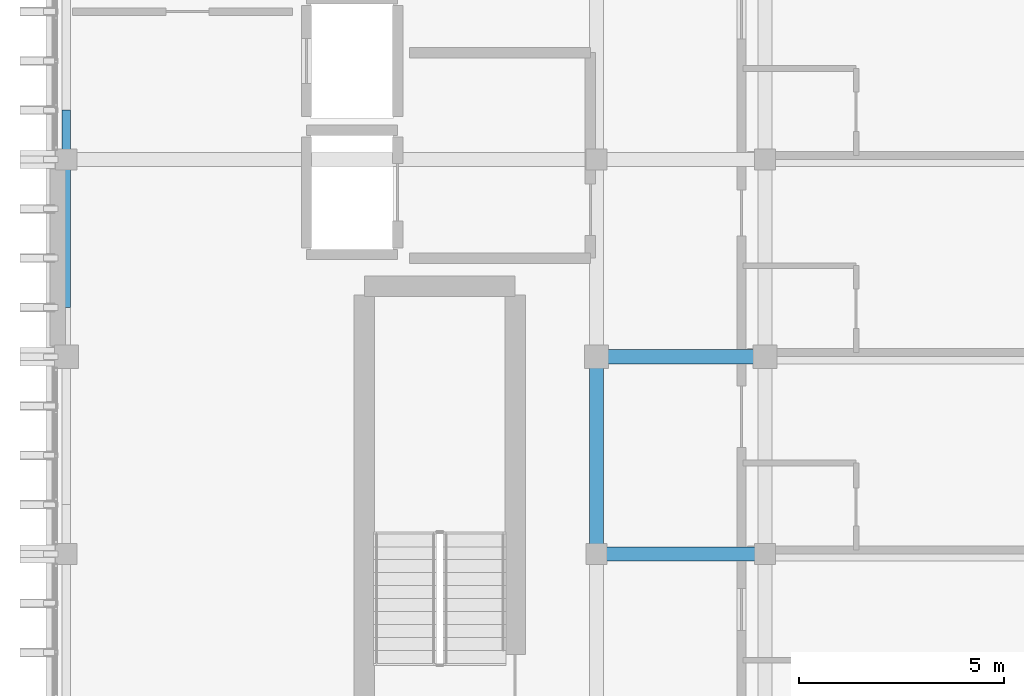
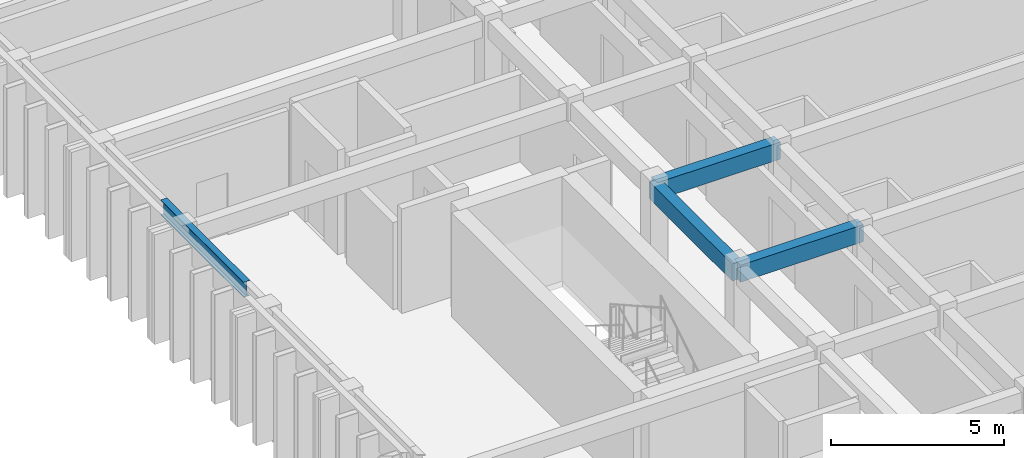
# One storey, part 11 of 49: 4 beams.
"""IFC4 building model written with IfcOpenShell, lengths in metres."""

from ifc_helpers import new_model, si_unit, direction, frame, origin, origin_2d, place, context, subcontext, project, spatial, rectangle, i_section, extrude, material, material_profile, profile_set, type_object, element, save


model = new_model("IFC4")

# Units and contexts
model_context = context("Model", 3, precision=1e-05, world=origin(), true_north=direction((0.0, 1.0)))
body_context = subcontext(model_context, "Body", "Model", "MODEL_VIEW")
ifc_project = project(units=[si_unit("LENGTHUNIT", "METRE"), si_unit("AREAUNIT", "SQUARE_METRE"), si_unit("VOLUMEUNIT", "CUBIC_METRE"), si_unit("PLANEANGLEUNIT", "RADIAN"), si_unit("MASSUNIT", "GRAM", prefix="KILO")], contexts=[model_context])

# Site, building, storey
site_placement = place(None, origin())
site = spatial("IfcSite", under=ifc_project, at=site_placement, CompositionType="ELEMENT")
building_placement = place(site_placement, origin())
building = spatial("IfcBuilding", under=site, at=building_placement, Name="Nakhvara Creek Congress Hotel", CompositionType="ELEMENT")
storey_placement = place(building_placement, frame((0.0, 0.0, 46.5)))
storey = spatial("IfcBuildingStorey", under=building, at=storey_placement, Name="L11", CompositionType="ELEMENT", Elevation=46.5)

# Beams
ifc_material_1 = material(Name="Concrete C40/50", Category="concrete")
ifc_material_profile_1 = material_profile(ifc_material_1, rectangle(XDim=0.35009765625, YDim=0.60009765625, at=origin_2d()), Name="RC-BM 350x600", Category="LoadBearing")
ifc_profile_set_1 = profile_set([ifc_material_profile_1], Name="Concrete C40/50")
beam_type_1 = type_object("IfcBeamType", Name="BM-RC-350X600", PredefinedType="BEAM", material=ifc_profile_set_1)
beam_1_placement = place(storey_placement, frame((162.35009765625, 86.39990234375, 3.3798828125), z_axis=(1.0, 0.0, 0.0), x_axis=(0.0, 1.0, 0.0)))
element("IfcBeam", 1, at=beam_1_placement, inside=storey, type_object=beam_type_1, Name="Beam B07-L11-2731", PredefinedType="BEAM", context=body_context, shape_type="SweptSolid", body=[
    extrude(rectangle(XDim=0.35009765625, YDim=0.60009765625, at=origin_2d()), origin(), (0.0, 0.0, 1.0), 4.099853515625),
])
beam_2_placement = place(storey_placement, frame((162.35009765625, 81.60009765625, 3.3798828125), z_axis=(0.0, 1.0, 0.0), x_axis=(-1.0, 0.0, 0.0)))
element("IfcBeam", 2, at=beam_2_placement, inside=storey, type_object=beam_type_1, Name="Beam B07-L11-2732", PredefinedType="BEAM", context=body_context, shape_type="SweptSolid", body=[
    extrude(rectangle(XDim=0.35009765625, YDim=0.60009765625, at=origin_2d()), origin(), (0.0, 0.0, 1.0), 4.7998046875),
])
beam_3_placement = place(storey_placement, frame((162.35009765625, 81.60009765625, 3.3798828125), z_axis=(1.0, 0.0, 0.0), x_axis=(0.0, 1.0, 0.0)))
element("IfcBeam", 3, at=beam_3_placement, inside=storey, type_object=beam_type_1, Name="Beam B07-L11-2770", PredefinedType="BEAM", context=body_context, shape_type="SweptSolid", body=[
    extrude(rectangle(XDim=0.35009765625, YDim=0.60009765625, at=origin_2d()), origin(), (0.0, 0.0, 1.0), 4.099853515625),
])
ifc_material_2 = material(Name="Steel S355J2", Category="steel")
ifc_material_profile_2 = material_profile(ifc_material_2, i_section(OverallWidth=0.209228515625, OverallDepth=0.533203125, WebThickness=0.010009765625, FlangeThickness=0.015625, FilletRadius=0.0126953125, at=origin_2d()), Name="UB 533x210x92", Category="LoadBearing")
ifc_profile_set_2 = profile_set([ifc_material_profile_2], Name="Steel S355J2")
beam_type_2 = type_object("IfcBeamType", Name="BM-ST-UB533", PredefinedType="BEAM", material=ifc_profile_set_2)
beam_4_placement = place(storey_placement, frame((149.449951171875, 87.60009765625, 3.6201171875), z_axis=(0.0, 1.0, 0.0), x_axis=(-1.0, 0.0, 0.0)))
element("IfcBeam", 4, at=beam_4_placement, inside=storey, type_object=beam_type_2, Name="Hotel Gable Eave Beam W-04", PredefinedType="BEAM", context=body_context, shape_type="SweptSolid", body=[
    extrude(i_section(OverallWidth=0.209228515625, OverallDepth=0.533203125, WebThickness=0.010009765625, FlangeThickness=0.015625, FilletRadius=0.0126953125, at=origin_2d()), origin(), (0.0, 0.0, 1.0), 4.7998046875),
])

save(model, "model.ifc")
